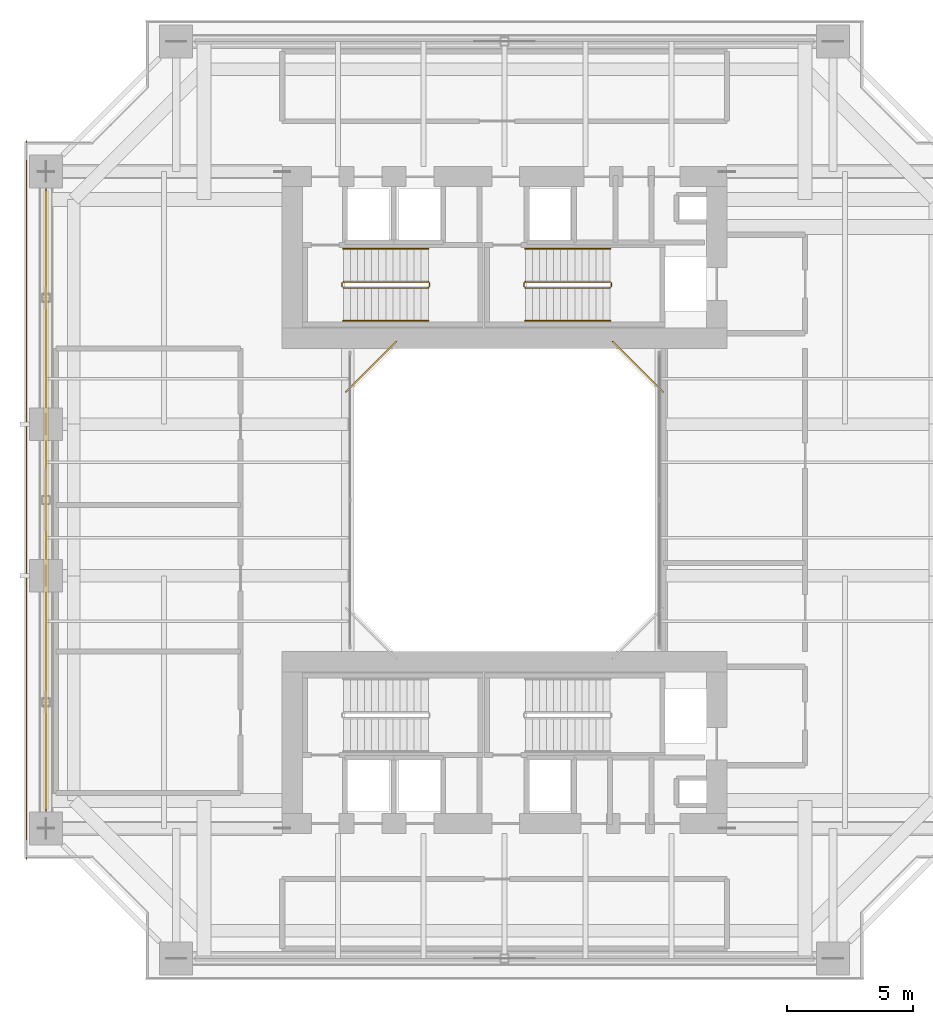
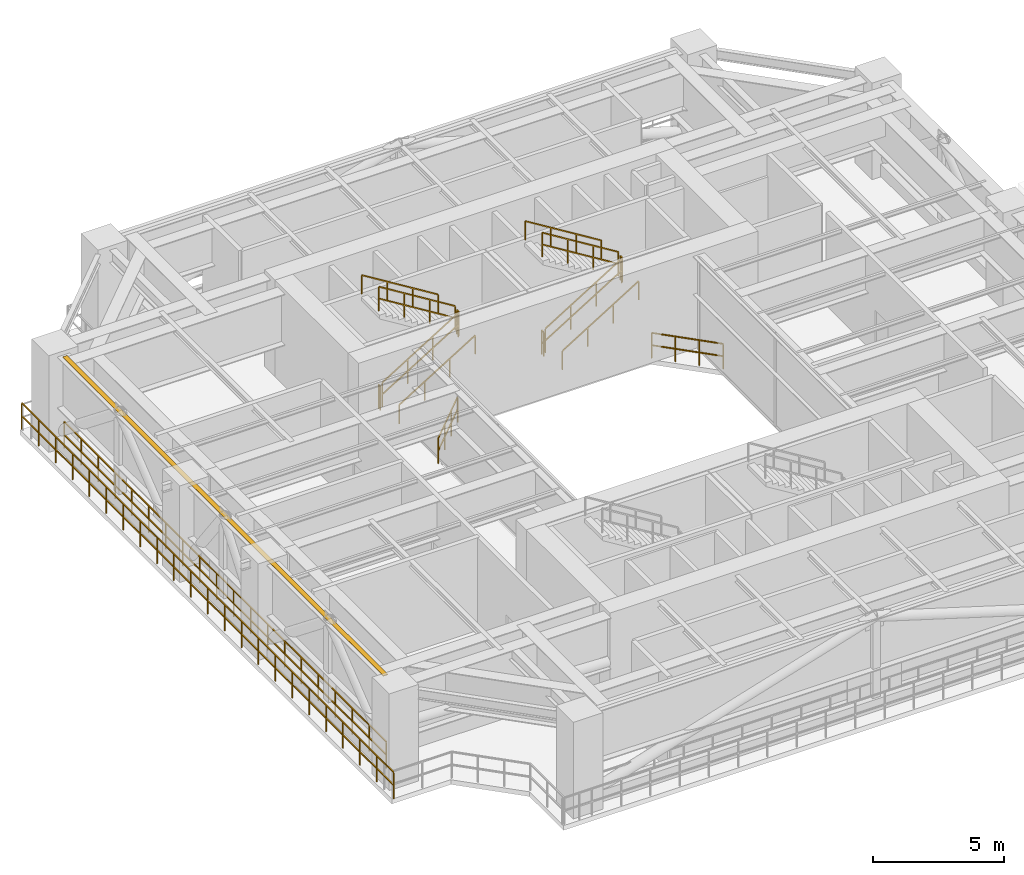
# One storey, part 22 of 25: 16 railings, 1 shading device.
"""IFC4 building model written with IfcOpenShell, lengths in metres."""

from ifc_helpers import new_model, si_unit, direction, frame, origin, origin_2d, place, context, subcontext, project, spatial, rectangle, extrude, source, transform, mapped, material, material_profile, profile_set, type_object, element, save


model = new_model("IFC4")

# Units and contexts
model_context = context("Model", 3, precision=1e-05, world=origin(), true_north=direction((0.0, 1.0)))
body_context = subcontext(model_context, "Body", "Model", "MODEL_VIEW")
ifc_project = project(units=[si_unit("LENGTHUNIT", "METRE"), si_unit("AREAUNIT", "SQUARE_METRE"), si_unit("VOLUMEUNIT", "CUBIC_METRE"), si_unit("PLANEANGLEUNIT", "RADIAN"), si_unit("MASSUNIT", "GRAM", prefix="KILO"), si_unit("THERMODYNAMICTEMPERATUREUNIT", "KELVIN"), si_unit("POWERUNIT", "WATT")], contexts=[model_context])

# Site, building, storey
site_placement = place(None, origin())
site = spatial("IfcSite", under=ifc_project, at=site_placement, CompositionType="ELEMENT")
building_placement = place(site_placement, origin())
building = spatial("IfcBuilding", under=site, at=building_placement, Name="Qiaomeng Ring Towers", CompositionType="ELEMENT")
storey_placement = place(building_placement, frame((0.0, 0.0, 92.5)))
storey = spatial("IfcBuildingStorey", under=building, at=storey_placement, Name="L26", CompositionType="ELEMENT", Elevation=92.5)

# Railings
ifc_material_1 = material(Name="Low-E pale-green laminated safety glass", Category="glass")
railing_type_1 = type_object("IfcRailingType", Name="ARC-RL-BAL1", PredefinedType="BALUSTRADE", material=ifc_material_1)
railing_1_placement = place(storey_placement, frame((25.280029296875, 27.280029296875, 0.0)))
element("IfcRailing", 1, at=railing_1_placement, inside=storey, type_object=railing_type_1, Name="L26 Balustrade ARC-BAL-WELL1-L26-2", PredefinedType="BALUSTRADE", context=body_context, shape_type="SweptSolid", body=[
    extrude(rectangle(XDim=0.048095703125, YDim=0.048095703125, at=origin_2d()), frame((0.0, 0.0, 1.17578125), z_axis=(-0.707106781187, 0.707106781187, 0.0), x_axis=(-0.707106781187, -0.707106781187, 0.0)), (0.0, 0.0, 1.0), 2.828369140625),
    extrude(rectangle(XDim=0.048095703125, YDim=0.048095703125, at=origin_2d()), frame((0.0, 0.0, 0.60009765625), z_axis=(-0.707106781187, 0.707106781187, 0.0), x_axis=(-0.707106781187, -0.707106781187, 0.0)), (0.0, 0.0, 1.0), 2.828369140625),
    extrude(rectangle(XDim=0.0419921875, YDim=0.0419921875, at=origin_2d()), origin(), (0.0, 0.0, 1.0), 1.15185546875),
    extrude(rectangle(XDim=0.0419921875, YDim=0.0419921875, at=origin_2d()), frame((-0.666748046875, 0.666748046875, 0.0)), (0.0, 0.0, 1.0), 1.15185546875),
    extrude(rectangle(XDim=0.0419921875, YDim=0.0419921875, at=origin_2d()), frame((-1.333251953125, 1.333251953125, 0.0)), (0.0, 0.0, 1.0), 1.15185546875),
    extrude(rectangle(XDim=0.0419921875, YDim=0.0419921875, at=origin_2d()), frame((-2.0, 2.0, 0.0)), (0.0, 0.0, 1.0), 1.15185546875),
])
railing_2_placement = place(storey_placement, frame((14.719970703125, 29.280029296875, 0.0)))
element("IfcRailing", 2, at=railing_2_placement, inside=storey, type_object=railing_type_1, Name="L26 Balustrade ARC-BAL-WELL1-L26-3", PredefinedType="BALUSTRADE", context=body_context, shape_type="SweptSolid", body=[
    extrude(rectangle(XDim=0.048095703125, YDim=0.048095703125, at=origin_2d()), frame((0.0, 0.0, 1.17578125), z_axis=(-0.707106781187, -0.707106781187, 0.0), x_axis=(0.707106781187, -0.707106781187, 0.0)), (0.0, 0.0, 1.0), 2.828369140625),
    extrude(rectangle(XDim=0.048095703125, YDim=0.048095703125, at=origin_2d()), frame((0.0, 0.0, 0.60009765625), z_axis=(-0.707106781187, -0.707106781187, 0.0), x_axis=(0.707106781187, -0.707106781187, 0.0)), (0.0, 0.0, 1.0), 2.828369140625),
    extrude(rectangle(XDim=0.0419921875, YDim=0.0419921875, at=origin_2d()), origin(), (0.0, 0.0, 1.0), 1.15185546875),
    extrude(rectangle(XDim=0.0419921875, YDim=0.0419921875, at=origin_2d()), frame((-0.666748046875, -0.666748046875, 0.0)), (0.0, 0.0, 1.0), 1.15185546875),
    extrude(rectangle(XDim=0.0419921875, YDim=0.0419921875, at=origin_2d()), frame((-1.333251953125, -1.333251953125, 0.0)), (0.0, 0.0, 1.0), 1.15185546875),
    extrude(rectangle(XDim=0.0419921875, YDim=0.0419921875, at=origin_2d()), frame((-2.0, -2.0, 0.0)), (0.0, 0.0, 1.0), 1.15185546875),
])
ifc_material_2 = material(Name="Stainless steel 316", Category="steel")
railing_type_2 = type_object("IfcRailingType", Name="ARC-RL-BAL2", PredefinedType="BALUSTRADE", material=ifc_material_2)
railing_3_placement = place(storey_placement, frame((0.85009765625, 35.300048828125, 0.0)))
element("IfcRailing", 3, at=railing_3_placement, inside=storey, type_object=railing_type_2, Name="L26 Open Refuge Band Perimeter Guard W", PredefinedType="BALUSTRADE", context=body_context, shape_type="SweptSolid", body=[
    extrude(rectangle(XDim=0.048095703125, YDim=0.048095703125, at=origin_2d()), frame((0.0, 0.0, 1.22607421875), z_axis=(0.0, -1.0, 0.0), x_axis=(1.0, 0.0, 0.0)), (0.0, 0.0, 1.0), 24.60009765625),
    extrude(rectangle(XDim=0.048095703125, YDim=0.048095703125, at=origin_2d()), frame((0.0, 0.0, 0.625), z_axis=(0.0, -1.0, 0.0), x_axis=(1.0, 0.0, 0.0)), (0.0, 0.0, 1.0), 24.60009765625),
    extrude(rectangle(XDim=0.0419921875, YDim=0.0419921875, at=origin_2d()), origin(), (0.0, 0.0, 1.0), 1.201904296875),
    extrude(rectangle(XDim=0.0419921875, YDim=0.0419921875, at=origin_2d()), frame((0.0, -1.294677734375, 0.0)), (0.0, 0.0, 1.0), 1.201904296875),
    extrude(rectangle(XDim=0.0419921875, YDim=0.0419921875, at=origin_2d()), frame((0.0, -2.589599609375, 0.0)), (0.0, 0.0, 1.0), 1.201904296875),
    extrude(rectangle(XDim=0.0419921875, YDim=0.0419921875, at=origin_2d()), frame((0.0, -3.88427734375, 0.0)), (0.0, 0.0, 1.0), 1.201904296875),
    extrude(rectangle(XDim=0.0419921875, YDim=0.0419921875, at=origin_2d()), frame((0.0, -5.178955078125, 0.0)), (0.0, 0.0, 1.0), 1.201904296875),
    extrude(rectangle(XDim=0.0419921875, YDim=0.0419921875, at=origin_2d()), frame((0.0, -6.4736328125, 0.0)), (0.0, 0.0, 1.0), 1.201904296875),
    extrude(rectangle(XDim=0.0419921875, YDim=0.0419921875, at=origin_2d()), frame((0.0, -7.7685546875, 0.0)), (0.0, 0.0, 1.0), 1.201904296875),
    extrude(rectangle(XDim=0.0419921875, YDim=0.0419921875, at=origin_2d()), frame((0.0, -9.063232421875, 0.0)), (0.0, 0.0, 1.0), 1.201904296875),
    extrude(rectangle(XDim=0.0419921875, YDim=0.0419921875, at=origin_2d()), frame((0.0, -10.35791015625, 0.0)), (0.0, 0.0, 1.0), 1.201904296875),
    extrude(rectangle(XDim=0.0419921875, YDim=0.0419921875, at=origin_2d()), frame((0.0, -11.652587890625, 0.0)), (0.0, 0.0, 1.0), 1.201904296875),
    extrude(rectangle(XDim=0.0419921875, YDim=0.0419921875, at=origin_2d()), frame((0.0, -12.947509765625, 0.0)), (0.0, 0.0, 1.0), 1.201904296875),
    extrude(rectangle(XDim=0.0419921875, YDim=0.0419921875, at=origin_2d()), frame((0.0, -14.2421875, 0.0)), (0.0, 0.0, 1.0), 1.201904296875),
    extrude(rectangle(XDim=0.0419921875, YDim=0.0419921875, at=origin_2d()), frame((0.0, -15.536865234375, 0.0)), (0.0, 0.0, 1.0), 1.201904296875),
    extrude(rectangle(XDim=0.0419921875, YDim=0.0419921875, at=origin_2d()), frame((0.0, -16.83154296875, 0.0)), (0.0, 0.0, 1.0), 1.201904296875),
    extrude(rectangle(XDim=0.0419921875, YDim=0.0419921875, at=origin_2d()), frame((0.0, -18.12646484375, 0.0)), (0.0, 0.0, 1.0), 1.201904296875),
    extrude(rectangle(XDim=0.0419921875, YDim=0.0419921875, at=origin_2d()), frame((0.0, -19.421142578125, 0.0)), (0.0, 0.0, 1.0), 1.201904296875),
    extrude(rectangle(XDim=0.0419921875, YDim=0.0419921875, at=origin_2d()), frame((0.0, -20.7158203125, 0.0)), (0.0, 0.0, 1.0), 1.201904296875),
    extrude(rectangle(XDim=0.0419921875, YDim=0.0419921875, at=origin_2d()), frame((0.0, -22.010498046875, 0.0)), (0.0, 0.0, 1.0), 1.201904296875),
    extrude(rectangle(XDim=0.0419921875, YDim=0.0419921875, at=origin_2d()), frame((0.0, -23.305419921875, 0.0)), (0.0, 0.0, 1.0), 1.201904296875),
    extrude(rectangle(XDim=0.0419921875, YDim=0.0419921875, at=origin_2d()), frame((0.0, -24.60009765625, 0.0)), (0.0, 0.0, 1.0), 1.201904296875),
])
railing_4_placement = place(storey_placement, frame((0.080078125, 8.800048828125, 0.0)))
element("IfcRailing", 4, at=railing_4_placement, inside=storey, type_object=railing_type_2, Name="L26 Balustrade ARC-BAL-REF-W-L26", PredefinedType="BALUSTRADE", context=body_context, shape_type="SweptSolid", body=[
    extrude(rectangle(XDim=0.048095703125, YDim=0.048095703125, at=origin_2d()), frame((0.0, 0.0, 1.22607421875), z_axis=(0.0, 1.0, 0.0), x_axis=(-1.0, 0.0, 0.0)), (0.0, 0.0, 1.0), 28.39990234375),
    extrude(rectangle(XDim=0.048095703125, YDim=0.048095703125, at=origin_2d()), frame((0.0, 0.0, 0.625), z_axis=(0.0, 1.0, 0.0), x_axis=(-1.0, 0.0, 0.0)), (0.0, 0.0, 1.0), 28.39990234375),
    extrude(rectangle(XDim=0.0419921875, YDim=0.0419921875, at=origin_2d()), origin(), (0.0, 0.0, 1.0), 1.201904296875),
    extrude(rectangle(XDim=0.0419921875, YDim=0.0419921875, at=origin_2d()), frame((0.0, 1.291015625, 0.0)), (0.0, 0.0, 1.0), 1.201904296875),
    extrude(rectangle(XDim=0.0419921875, YDim=0.0419921875, at=origin_2d()), frame((0.0, 2.581787109375, 0.0)), (0.0, 0.0, 1.0), 1.201904296875),
    extrude(rectangle(XDim=0.0419921875, YDim=0.0419921875, at=origin_2d()), frame((0.0, 3.872802734375, 0.0)), (0.0, 0.0, 1.0), 1.201904296875),
    extrude(rectangle(XDim=0.0419921875, YDim=0.0419921875, at=origin_2d()), frame((0.0, 5.16357421875, 0.0)), (0.0, 0.0, 1.0), 1.201904296875),
    extrude(rectangle(XDim=0.0419921875, YDim=0.0419921875, at=origin_2d()), frame((0.0, 6.45458984375, 0.0)), (0.0, 0.0, 1.0), 1.201904296875),
    extrude(rectangle(XDim=0.0419921875, YDim=0.0419921875, at=origin_2d()), frame((0.0, 7.745361328125, 0.0)), (0.0, 0.0, 1.0), 1.201904296875),
    extrude(rectangle(XDim=0.0419921875, YDim=0.0419921875, at=origin_2d()), frame((0.0, 9.036376953125, 0.0)), (0.0, 0.0, 1.0), 1.201904296875),
    extrude(rectangle(XDim=0.0419921875, YDim=0.0419921875, at=origin_2d()), frame((0.0, 10.3271484375, 0.0)), (0.0, 0.0, 1.0), 1.201904296875),
    extrude(rectangle(XDim=0.0419921875, YDim=0.0419921875, at=origin_2d()), frame((0.0, 11.6181640625, 0.0)), (0.0, 0.0, 1.0), 1.201904296875),
    extrude(rectangle(XDim=0.0419921875, YDim=0.0419921875, at=origin_2d()), frame((0.0, 12.908935546875, 0.0)), (0.0, 0.0, 1.0), 1.201904296875),
    extrude(rectangle(XDim=0.0419921875, YDim=0.0419921875, at=origin_2d()), frame((0.0, 14.199951171875, 0.0)), (0.0, 0.0, 1.0), 1.201904296875),
    extrude(rectangle(XDim=0.0419921875, YDim=0.0419921875, at=origin_2d()), frame((0.0, 15.490966796875, 0.0)), (0.0, 0.0, 1.0), 1.201904296875),
    extrude(rectangle(XDim=0.0419921875, YDim=0.0419921875, at=origin_2d()), frame((0.0, 16.78173828125, 0.0)), (0.0, 0.0, 1.0), 1.201904296875),
    extrude(rectangle(XDim=0.0419921875, YDim=0.0419921875, at=origin_2d()), frame((0.0, 18.07275390625, 0.0)), (0.0, 0.0, 1.0), 1.201904296875),
    extrude(rectangle(XDim=0.0419921875, YDim=0.0419921875, at=origin_2d()), frame((0.0, 19.363525390625, 0.0)), (0.0, 0.0, 1.0), 1.201904296875),
    extrude(rectangle(XDim=0.0419921875, YDim=0.0419921875, at=origin_2d()), frame((0.0, 20.654541015625, 0.0)), (0.0, 0.0, 1.0), 1.201904296875),
    extrude(rectangle(XDim=0.0419921875, YDim=0.0419921875, at=origin_2d()), frame((0.0, 21.9453125, 0.0)), (0.0, 0.0, 1.0), 1.201904296875),
    extrude(rectangle(XDim=0.0419921875, YDim=0.0419921875, at=origin_2d()), frame((0.0, 23.236328125, 0.0)), (0.0, 0.0, 1.0), 1.201904296875),
    extrude(rectangle(XDim=0.0419921875, YDim=0.0419921875, at=origin_2d()), frame((0.0, 24.527099609375, 0.0)), (0.0, 0.0, 1.0), 1.201904296875),
    extrude(rectangle(XDim=0.0419921875, YDim=0.0419921875, at=origin_2d()), frame((0.0, 25.818115234375, 0.0)), (0.0, 0.0, 1.0), 1.201904296875),
    extrude(rectangle(XDim=0.0419921875, YDim=0.0419921875, at=origin_2d()), frame((0.0, 27.10888671875, 0.0)), (0.0, 0.0, 1.0), 1.201904296875),
    extrude(rectangle(XDim=0.0419921875, YDim=0.0419921875, at=origin_2d()), frame((0.0, 28.39990234375, 0.0)), (0.0, 0.0, 1.0), 1.201904296875),
])
ifc_material_3 = material(Name="Galvanised steel", Category="steel")
railing_type_3 = type_object("IfcRailingType", Name="ARC-RL-GUARD", PredefinedType="GUARDRAIL", material=ifc_material_3)
railing_5_placement = place(storey_placement, frame((12.6201171875, 31.39990234375, 0.173095703125)))
element("IfcRailing", 5, at=railing_5_placement, inside=storey, type_object=railing_type_3, Name="L26 ST1 stair guard 1", PredefinedType="GUARDRAIL", context=body_context, shape_type="SweptSolid", body=[
    extrude(rectangle(XDim=0.048095703125, YDim=0.048095703125, at=origin_2d()), frame((0.0, 0.0, 1.1259765625), z_axis=(0.850606129759, 0.0, 0.525803396734), x_axis=(0.0, 1.0, 0.0)), (0.0, 0.0, 1.0), 3.949951171875),
    extrude(rectangle(XDim=0.048095703125, YDim=0.048095703125, at=origin_2d()), frame((0.0, 0.0, 0.574951171875), z_axis=(0.850606129759, 0.0, 0.525803396734), x_axis=(0.0, 1.0, 0.0)), (0.0, 0.0, 1.0), 3.949951171875),
    extrude(rectangle(XDim=0.0419921875, YDim=0.0419921875, at=origin_2d()), origin(), (0.0, 0.0, 1.0), 1.101806640625),
    extrude(rectangle(XDim=0.0419921875, YDim=0.0419921875, at=origin_2d()), frame((1.119873046875, 0.0, 0.6923828125)), (0.0, 0.0, 1.0), 1.101806640625),
    extrude(rectangle(XDim=0.0419921875, YDim=0.0419921875, at=origin_2d()), frame((2.239990234375, 0.0, 1.384521484375)), (0.0, 0.0, 1.0), 1.101806640625),
    extrude(rectangle(XDim=0.0419921875, YDim=0.0419921875, at=origin_2d()), frame((3.35986328125, 0.0, 2.076904296875)), (0.0, 0.0, 1.0), 1.101806640625),
])
railing_6_placement = place(storey_placement, frame((16.030029296875, 31.449951171875, 2.25)))
element("IfcRailing", 6, at=railing_6_placement, inside=storey, type_object=railing_type_3, Name="L26 ST1 stair guard 2", PredefinedType="GUARDRAIL", context=body_context, shape_type="SweptSolid", body=[
    extrude(rectangle(XDim=0.048095703125, YDim=0.048095703125, at=origin_2d()), frame((0.0, 0.0, 1.1259765625), z_axis=(0.0, 1.0, 0.0), x_axis=(-1.0, 0.0, 0.0)), (0.0, 0.0, 1.0), 0.14013671875),
    extrude(rectangle(XDim=0.048095703125, YDim=0.048095703125, at=origin_2d()), frame((0.0, 0.0, 0.574951171875), z_axis=(0.0, 1.0, 0.0), x_axis=(-1.0, 0.0, 0.0)), (0.0, 0.0, 1.0), 0.14013671875),
    extrude(rectangle(XDim=0.0419921875, YDim=0.0419921875, at=origin_2d()), origin(), (0.0, 0.0, 1.0), 1.101806640625),
    extrude(rectangle(XDim=0.0419921875, YDim=0.0419921875, at=origin_2d()), frame((0.0, 0.14013671875, 0.0)), (0.0, 0.0, 1.0), 1.101806640625),
])
railing_7_placement = place(storey_placement, frame((15.97998046875, 31.639892578125, 2.423095703125)))
element("IfcRailing", 7, at=railing_7_placement, inside=storey, type_object=railing_type_3, Name="L26 ST1 stair guard 3", PredefinedType="GUARDRAIL", context=body_context, shape_type="SweptSolid", body=[
    extrude(rectangle(XDim=0.048095703125, YDim=0.048095703125, at=origin_2d()), frame((0.0, 0.0, 1.1259765625), z_axis=(-0.850606129759, 0.0, 0.525803396734), x_axis=(0.0, -1.0, 0.0)), (0.0, 0.0, 1.0), 3.949951171875),
    extrude(rectangle(XDim=0.048095703125, YDim=0.048095703125, at=origin_2d()), frame((0.0, 0.0, 0.574951171875), z_axis=(-0.850606129759, 0.0, 0.525803396734), x_axis=(0.0, -1.0, 0.0)), (0.0, 0.0, 1.0), 3.949951171875),
    extrude(rectangle(XDim=0.0419921875, YDim=0.0419921875, at=origin_2d()), origin(), (0.0, 0.0, 1.0), 1.101806640625),
    extrude(rectangle(XDim=0.0419921875, YDim=0.0419921875, at=origin_2d()), frame((-1.119873046875, 0.0, 0.6923828125)), (0.0, 0.0, 1.0), 1.101806640625),
    extrude(rectangle(XDim=0.0419921875, YDim=0.0419921875, at=origin_2d()), frame((-2.239990234375, 0.0, 1.384521484375)), (0.0, 0.0, 1.0), 1.101806640625),
    extrude(rectangle(XDim=0.0419921875, YDim=0.0419921875, at=origin_2d()), frame((-3.35986328125, 0.0, 2.076904296875)), (0.0, 0.0, 1.0), 1.101806640625),
])
railing_8_placement = place(storey_placement, frame((12.570068359375, 31.449951171875, 0.0)))
element("IfcRailing", 8, at=railing_8_placement, inside=storey, type_object=railing_type_3, Name="L26 ST1 stair guard 4", PredefinedType="GUARDRAIL", context=body_context, shape_type="SweptSolid", body=[
    extrude(rectangle(XDim=0.048095703125, YDim=0.048095703125, at=origin_2d()), frame((0.0, 0.0, 1.1259765625), z_axis=(0.0, 1.0, 0.0), x_axis=(-1.0, 0.0, 0.0)), (0.0, 0.0, 1.0), 0.14013671875),
    extrude(rectangle(XDim=0.048095703125, YDim=0.048095703125, at=origin_2d()), frame((0.0, 0.0, 0.574951171875), z_axis=(0.0, 1.0, 0.0), x_axis=(-1.0, 0.0, 0.0)), (0.0, 0.0, 1.0), 0.14013671875),
    extrude(rectangle(XDim=0.0419921875, YDim=0.0419921875, at=origin_2d()), origin(), (0.0, 0.0, 1.0), 1.101806640625),
    extrude(rectangle(XDim=0.0419921875, YDim=0.0419921875, at=origin_2d()), frame((0.0, 0.14013671875, 0.0)), (0.0, 0.0, 1.0), 1.101806640625),
])
railing_9_placement = place(storey_placement, frame((19.820068359375, 31.39990234375, 0.173095703125)))
element("IfcRailing", 9, at=railing_9_placement, inside=storey, type_object=railing_type_3, Name="L26 ST2 stair guard 1", PredefinedType="GUARDRAIL", context=body_context, shape_type="SweptSolid", body=[
    extrude(rectangle(XDim=0.048095703125, YDim=0.048095703125, at=origin_2d()), frame((0.0, 0.0, 1.1259765625), z_axis=(0.850606129759, 0.0, 0.525803396734), x_axis=(0.0, 1.0, 0.0)), (0.0, 0.0, 1.0), 3.949951171875),
    extrude(rectangle(XDim=0.048095703125, YDim=0.048095703125, at=origin_2d()), frame((0.0, 0.0, 0.574951171875), z_axis=(0.850606129759, 0.0, 0.525803396734), x_axis=(0.0, 1.0, 0.0)), (0.0, 0.0, 1.0), 3.949951171875),
    extrude(rectangle(XDim=0.0419921875, YDim=0.0419921875, at=origin_2d()), origin(), (0.0, 0.0, 1.0), 1.101806640625),
    extrude(rectangle(XDim=0.0419921875, YDim=0.0419921875, at=origin_2d()), frame((1.119873046875, 0.0, 0.6923828125)), (0.0, 0.0, 1.0), 1.101806640625),
    extrude(rectangle(XDim=0.0419921875, YDim=0.0419921875, at=origin_2d()), frame((2.239990234375, 0.0, 1.384521484375)), (0.0, 0.0, 1.0), 1.101806640625),
    extrude(rectangle(XDim=0.0419921875, YDim=0.0419921875, at=origin_2d()), frame((3.35986328125, 0.0, 2.076904296875)), (0.0, 0.0, 1.0), 1.101806640625),
])
railing_10_placement = place(storey_placement, frame((23.22998046875, 31.449951171875, 2.25)))
element("IfcRailing", 10, at=railing_10_placement, inside=storey, type_object=railing_type_3, Name="L26 ST2 stair guard 2", PredefinedType="GUARDRAIL", context=body_context, shape_type="SweptSolid", body=[
    extrude(rectangle(XDim=0.048095703125, YDim=0.048095703125, at=origin_2d()), frame((0.0, 0.0, 1.1259765625), z_axis=(0.0, 1.0, 0.0), x_axis=(-1.0, 0.0, 0.0)), (0.0, 0.0, 1.0), 0.14013671875),
    extrude(rectangle(XDim=0.048095703125, YDim=0.048095703125, at=origin_2d()), frame((0.0, 0.0, 0.574951171875), z_axis=(0.0, 1.0, 0.0), x_axis=(-1.0, 0.0, 0.0)), (0.0, 0.0, 1.0), 0.14013671875),
    extrude(rectangle(XDim=0.0419921875, YDim=0.0419921875, at=origin_2d()), origin(), (0.0, 0.0, 1.0), 1.101806640625),
    extrude(rectangle(XDim=0.0419921875, YDim=0.0419921875, at=origin_2d()), frame((0.0, 0.14013671875, 0.0)), (0.0, 0.0, 1.0), 1.101806640625),
])
railing_11_placement = place(storey_placement, frame((23.179931640625, 31.639892578125, 2.423095703125)))
element("IfcRailing", 11, at=railing_11_placement, inside=storey, type_object=railing_type_3, Name="L26 ST2 stair guard 3", PredefinedType="GUARDRAIL", context=body_context, shape_type="SweptSolid", body=[
    extrude(rectangle(XDim=0.048095703125, YDim=0.048095703125, at=origin_2d()), frame((0.0, 0.0, 1.1259765625), z_axis=(-0.850606129759, 0.0, 0.525803396734), x_axis=(0.0, -1.0, 0.0)), (0.0, 0.0, 1.0), 3.949951171875),
    extrude(rectangle(XDim=0.048095703125, YDim=0.048095703125, at=origin_2d()), frame((0.0, 0.0, 0.574951171875), z_axis=(-0.850606129759, 0.0, 0.525803396734), x_axis=(0.0, -1.0, 0.0)), (0.0, 0.0, 1.0), 3.949951171875),
    extrude(rectangle(XDim=0.0419921875, YDim=0.0419921875, at=origin_2d()), origin(), (0.0, 0.0, 1.0), 1.101806640625),
    extrude(rectangle(XDim=0.0419921875, YDim=0.0419921875, at=origin_2d()), frame((-1.119873046875, 0.0, 0.6923828125)), (0.0, 0.0, 1.0), 1.101806640625),
    extrude(rectangle(XDim=0.0419921875, YDim=0.0419921875, at=origin_2d()), frame((-2.239990234375, 0.0, 1.384521484375)), (0.0, 0.0, 1.0), 1.101806640625),
    extrude(rectangle(XDim=0.0419921875, YDim=0.0419921875, at=origin_2d()), frame((-3.35986328125, 0.0, 2.076904296875)), (0.0, 0.0, 1.0), 1.101806640625),
])
railing_12_placement = place(storey_placement, frame((19.77001953125, 31.449951171875, 0.0)))
element("IfcRailing", 12, at=railing_12_placement, inside=storey, type_object=railing_type_3, Name="L26 ST2 stair guard 4", PredefinedType="GUARDRAIL", context=body_context, shape_type="SweptSolid", body=[
    extrude(rectangle(XDim=0.048095703125, YDim=0.048095703125, at=origin_2d()), frame((0.0, 0.0, 1.1259765625), z_axis=(0.0, 1.0, 0.0), x_axis=(-1.0, 0.0, 0.0)), (0.0, 0.0, 1.0), 0.14013671875),
    extrude(rectangle(XDim=0.048095703125, YDim=0.048095703125, at=origin_2d()), frame((0.0, 0.0, 0.574951171875), z_axis=(0.0, 1.0, 0.0), x_axis=(-1.0, 0.0, 0.0)), (0.0, 0.0, 1.0), 0.14013671875),
    extrude(rectangle(XDim=0.0419921875, YDim=0.0419921875, at=origin_2d()), origin(), (0.0, 0.0, 1.0), 1.101806640625),
    extrude(rectangle(XDim=0.0419921875, YDim=0.0419921875, at=origin_2d()), frame((0.0, 0.14013671875, 0.0)), (0.0, 0.0, 1.0), 1.101806640625),
])
railing_type_4 = type_object("IfcRailingType", Name="ARC-RL-HAND", PredefinedType="HANDRAIL", material=ifc_material_2)
railing_13_placement = place(storey_placement, frame((12.6201171875, 30.10009765625, 0.173095703125)))
element("IfcRailing", 13, at=railing_13_placement, inside=storey, type_object=railing_type_4, Name="L26 ST1 stair handrail 1", PredefinedType="HANDRAIL", context=body_context, shape_type="SweptSolid", body=[
    extrude(rectangle(XDim=0.048095703125, YDim=0.048095703125, at=origin_2d()), frame((0.0, 0.0, 0.8759765625), z_axis=(0.850606129759, 0.0, 0.525803396734), x_axis=(0.0, 1.0, 0.0)), (0.0, 0.0, 1.0), 3.949951171875),
    extrude(rectangle(XDim=0.0419921875, YDim=0.0419921875, at=origin_2d()), origin(), (0.0, 0.0, 1.0), 0.851806640625),
    extrude(rectangle(XDim=0.0419921875, YDim=0.0419921875, at=origin_2d()), frame((1.119873046875, 0.0, 0.6923828125)), (0.0, 0.0, 1.0), 0.851806640625),
    extrude(rectangle(XDim=0.0419921875, YDim=0.0419921875, at=origin_2d()), frame((2.239990234375, 0.0, 1.384521484375)), (0.0, 0.0, 1.0), 0.851806640625),
    extrude(rectangle(XDim=0.0419921875, YDim=0.0419921875, at=origin_2d()), frame((3.35986328125, 0.0, 2.076904296875)), (0.0, 0.0, 1.0), 0.851806640625),
])
railing_14_placement = place(storey_placement, frame((15.97998046875, 32.93994140625, 2.423095703125)))
element("IfcRailing", 14, at=railing_14_placement, inside=storey, type_object=railing_type_4, Name="L26 ST1 stair handrail 2", PredefinedType="HANDRAIL", context=body_context, shape_type="SweptSolid", body=[
    extrude(rectangle(XDim=0.048095703125, YDim=0.048095703125, at=origin_2d()), frame((0.0, 0.0, 0.8759765625), z_axis=(-0.850606129759, 0.0, 0.525803396734), x_axis=(0.0, -1.0, 0.0)), (0.0, 0.0, 1.0), 3.949951171875),
    extrude(rectangle(XDim=0.0419921875, YDim=0.0419921875, at=origin_2d()), origin(), (0.0, 0.0, 1.0), 0.851806640625),
    extrude(rectangle(XDim=0.0419921875, YDim=0.0419921875, at=origin_2d()), frame((-1.119873046875, 0.0, 0.6923828125)), (0.0, 0.0, 1.0), 0.851806640625),
    extrude(rectangle(XDim=0.0419921875, YDim=0.0419921875, at=origin_2d()), frame((-2.239990234375, 0.0, 1.384521484375)), (0.0, 0.0, 1.0), 0.851806640625),
    extrude(rectangle(XDim=0.0419921875, YDim=0.0419921875, at=origin_2d()), frame((-3.35986328125, 0.0, 2.076904296875)), (0.0, 0.0, 1.0), 0.851806640625),
])
railing_15_placement = place(storey_placement, frame((19.820068359375, 30.10009765625, 0.173095703125)))
element("IfcRailing", 15, at=railing_15_placement, inside=storey, type_object=railing_type_4, Name="L26 ST2 stair handrail 1", PredefinedType="HANDRAIL", context=body_context, shape_type="SweptSolid", body=[
    extrude(rectangle(XDim=0.048095703125, YDim=0.048095703125, at=origin_2d()), frame((0.0, 0.0, 0.8759765625), z_axis=(0.850606129759, 0.0, 0.525803396734), x_axis=(0.0, 1.0, 0.0)), (0.0, 0.0, 1.0), 3.949951171875),
    extrude(rectangle(XDim=0.0419921875, YDim=0.0419921875, at=origin_2d()), origin(), (0.0, 0.0, 1.0), 0.851806640625),
    extrude(rectangle(XDim=0.0419921875, YDim=0.0419921875, at=origin_2d()), frame((1.119873046875, 0.0, 0.6923828125)), (0.0, 0.0, 1.0), 0.851806640625),
    extrude(rectangle(XDim=0.0419921875, YDim=0.0419921875, at=origin_2d()), frame((2.239990234375, 0.0, 1.384521484375)), (0.0, 0.0, 1.0), 0.851806640625),
    extrude(rectangle(XDim=0.0419921875, YDim=0.0419921875, at=origin_2d()), frame((3.35986328125, 0.0, 2.076904296875)), (0.0, 0.0, 1.0), 0.851806640625),
])
railing_16_placement = place(storey_placement, frame((23.179931640625, 32.93994140625, 2.423095703125)))
element("IfcRailing", 16, at=railing_16_placement, inside=storey, type_object=railing_type_4, Name="L26 ST2 stair handrail 2", PredefinedType="HANDRAIL", context=body_context, shape_type="SweptSolid", body=[
    extrude(rectangle(XDim=0.048095703125, YDim=0.048095703125, at=origin_2d()), frame((0.0, 0.0, 0.8759765625), z_axis=(-0.850606129759, 0.0, 0.525803396734), x_axis=(0.0, -1.0, 0.0)), (0.0, 0.0, 1.0), 3.949951171875),
    extrude(rectangle(XDim=0.0419921875, YDim=0.0419921875, at=origin_2d()), origin(), (0.0, 0.0, 1.0), 0.851806640625),
    extrude(rectangle(XDim=0.0419921875, YDim=0.0419921875, at=origin_2d()), frame((-1.119873046875, 0.0, 0.6923828125)), (0.0, 0.0, 1.0), 0.851806640625),
    extrude(rectangle(XDim=0.0419921875, YDim=0.0419921875, at=origin_2d()), frame((-2.239990234375, 0.0, 1.384521484375)), (0.0, 0.0, 1.0), 0.851806640625),
    extrude(rectangle(XDim=0.0419921875, YDim=0.0419921875, at=origin_2d()), frame((-3.35986328125, 0.0, 2.076904296875)), (0.0, 0.0, 1.0), 0.851806640625),
])

# Shading device
ifc_material_profile = material_profile(ifc_material_2, rectangle(XDim=0.199951171875, YDim=0.0400390625, at=origin_2d()), Name="LV BLADE 200x40")
ifc_profile_set = profile_set([ifc_material_profile], Name="Stainless steel 316")
shading_device_type = type_object("IfcShadingDeviceType", Name="ARC-SHD-LOUVRE", PredefinedType="JALOUSIE", material=ifc_profile_set)
shared_shape = source(origin(), body_context, "Body", "SweptSolid", [
    extrude(rectangle(XDim=0.199951171875, YDim=0.0400390625, at=origin_2d()), origin(), (0.0, 0.0, 1.0), 24.5),
])
shading_device_placement = place(storey_placement, frame((0.85009765625, 35.25, 4.300048828125), z_axis=(0.0, -1.0, 0.0), x_axis=(1.0, 0.0, 0.0)))
element("IfcShadingDevice", 17, at=shading_device_placement, inside=storey, type_object=shading_device_type, Name="L26 Stainless Acoustic Intake Louvre W", PredefinedType="JALOUSIE", context=body_context, shape_type="MappedRepresentation", body=[
    mapped(shared_shape, transform((0.0, 0.0, 0.0), x_axis=(1.0, 0.0, 0.0), y_axis=(0.0, 1.0, 0.0), z_axis=(0.0, 0.0, 1.0), scale=1.0)),
])

save(model, "model.ifc")
